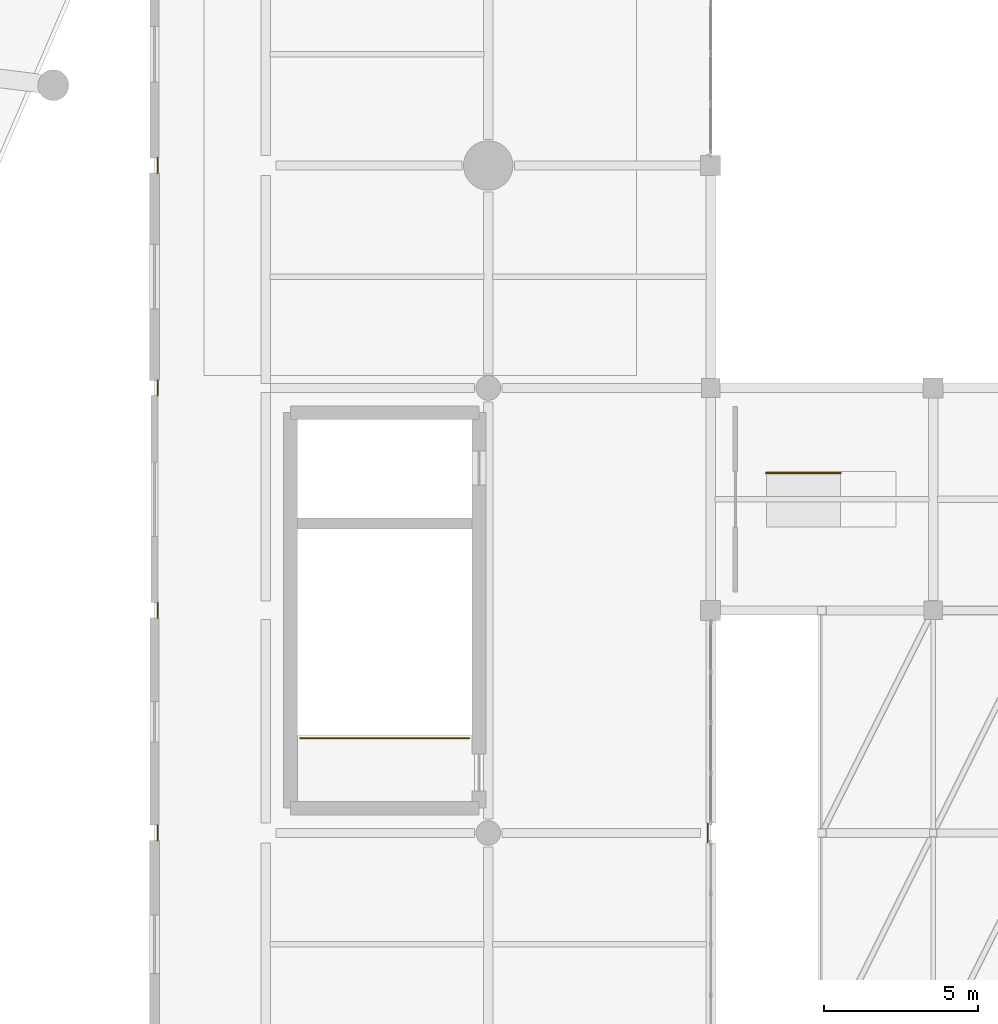
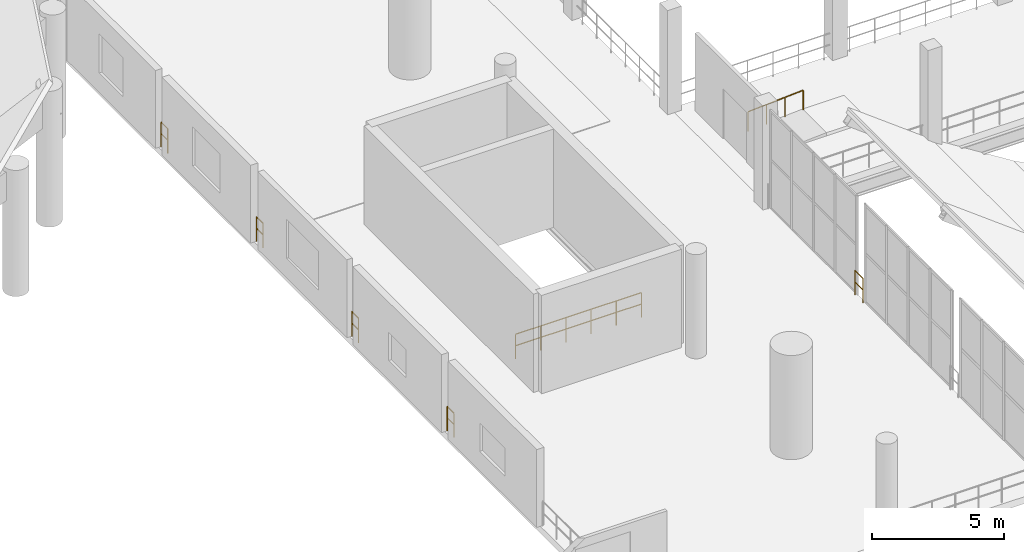
# One storey, part 96 of 105: 7 railings.
"""IFC4 building model written with IfcOpenShell, lengths in metres."""

from ifc_helpers import new_model, si_unit, direction, frame, origin, origin_2d, place, context, subcontext, project, spatial, circle, extrude, material, type_object, element, save


model = new_model("IFC4")

# Units and contexts
model_context = context("Model", 3, precision=1e-05, world=origin(), true_north=direction((0.0, 1.0)))
body_context = subcontext(model_context, "Body", "Model", "MODEL_VIEW")
ifc_project = project(units=[si_unit("LENGTHUNIT", "METRE"), si_unit("AREAUNIT", "SQUARE_METRE"), si_unit("VOLUMEUNIT", "CUBIC_METRE"), si_unit("PLANEANGLEUNIT", "RADIAN"), si_unit("MASSUNIT", "GRAM", prefix="KILO")], contexts=[model_context])

# Site, building, storey
site_placement = place(None, origin())
site = spatial("IfcSite", under=ifc_project, at=site_placement, CompositionType="ELEMENT")
building_placement = place(site_placement, origin())
building = spatial("IfcBuilding", under=site, at=building_placement, Name="Qandorah Velis Arena", CompositionType="ELEMENT")
storey_placement = place(building_placement, frame((0.0, 0.0, 13.800048828125)))
storey = spatial("IfcBuildingStorey", under=building, at=storey_placement, Name="L03", CompositionType="ELEMENT", Elevation=13.800048828125)

# Railings
ifc_material = material(Name="Stainless steel 316", Category="steel")
railing_type_1 = type_object("IfcRailingType", Name="ARC-RL-GRD1150", PredefinedType="GUARDRAIL", material=ifc_material)
railing_1_placement = place(storey_placement, frame((109.110107421875, 39.070068359375, 0.0)))
element("IfcRailing", 1, at=railing_1_placement, inside=storey, type_object=railing_type_1, Name="Stair ST11 top well guardrail L03", PredefinedType="GUARDRAIL", context=body_context, shape_type="SweptSolid", body=[
    extrude(circle(Radius=0.02392578125, at=origin_2d()), frame((0.0, 0.0, 1.1259765625), z_axis=(1.0, 0.0, 0.0), x_axis=(0.0, 1.0, 0.0)), (0.0, 0.0, 1.0), 5.47998046875),
    extrude(circle(Radius=0.02392578125, at=origin_2d()), frame((0.0, 0.0, 0.597900390625), z_axis=(1.0, 0.0, 0.0), x_axis=(0.0, 1.0, 0.0)), (0.0, 0.0, 1.0), 5.47998046875),
    extrude(circle(Radius=0.02099609375, at=origin_2d()), origin(), (0.0, 0.0, 1.0), 1.101806640625),
    extrude(circle(Radius=0.02099609375, at=origin_2d()), frame((1.095947265625, 0.0, 0.0)), (0.0, 0.0, 1.0), 1.101806640625),
    extrude(circle(Radius=0.02099609375, at=origin_2d()), frame((2.19189453125, 0.0, 0.0)), (0.0, 0.0, 1.0), 1.101806640625),
    extrude(circle(Radius=0.02099609375, at=origin_2d()), frame((3.2880859375, 0.0, 0.0)), (0.0, 0.0, 1.0), 1.101806640625),
    extrude(circle(Radius=0.02099609375, at=origin_2d()), frame((4.384033203125, 0.0, 0.0)), (0.0, 0.0, 1.0), 1.101806640625),
    extrude(circle(Radius=0.02099609375, at=origin_2d()), frame((5.47998046875, 0.0, 0.0)), (0.0, 0.0, 1.0), 1.101806640625),
])
railing_2_placement = place(storey_placement, frame((122.300048828125, 36.300048828125, 0.0)))
element("IfcRailing", 2, at=railing_2_placement, inside=storey, type_object=railing_type_1, Name="Slab edge safety guardrail L03-203", PredefinedType="GUARDRAIL", context=body_context, shape_type="SweptSolid", body=[
    extrude(circle(Radius=0.02392578125, at=origin_2d()), frame((0.0, 0.0, 1.1259765625), z_axis=(0.0, -1.0, 0.0), x_axis=(1.0, 0.0, 0.0)), (0.0, 0.0, 1.0), 0.60009765625),
    extrude(circle(Radius=0.02392578125, at=origin_2d()), frame((0.0, 0.0, 0.597900390625), z_axis=(0.0, -1.0, 0.0), x_axis=(1.0, 0.0, 0.0)), (0.0, 0.0, 1.0), 0.60009765625),
    extrude(circle(Radius=0.02099609375, at=origin_2d()), origin(), (0.0, 0.0, 1.0), 1.101806640625),
    extrude(circle(Radius=0.02099609375, at=origin_2d()), frame((0.0, -0.60009765625, 0.0)), (0.0, 0.0, 1.0), 1.101806640625),
])
for number, where, name in (
    (3, (104.5, 35.75, 0.0), "Slab edge safety guardrail L03-213"),
    (4, (104.5, 42.949951171875, 0.0), "Slab edge safety guardrail L03-214"),
    (5, (104.5, 50.14990234375, 0.0), "Slab edge safety guardrail L03-215"),
    (6, (104.5, 57.35009765625, 0.0), "Slab edge safety guardrail L03-216"),
):
    element("IfcRailing", number, at=place(storey_placement, frame(where)), inside=storey, type_object=railing_type_1, Name=name, PredefinedType="GUARDRAIL", context=body_context, shape_type="SweptSolid", body=[
        extrude(circle(Radius=0.02392578125, at=origin_2d()), frame((0.0, 0.0, 1.1259765625), z_axis=(0.0, 1.0, 0.0), x_axis=(-1.0, 0.0, 0.0)), (0.0, 0.0, 1.0), 0.5),
        extrude(circle(Radius=0.02392578125, at=origin_2d()), frame((0.0, 0.0, 0.597900390625), z_axis=(0.0, 1.0, 0.0), x_axis=(-1.0, 0.0, 0.0)), (0.0, 0.0, 1.0), 0.5),
        extrude(circle(Radius=0.02099609375, at=origin_2d()), origin(), (0.0, 0.0, 1.0), 1.101806640625),
        extrude(circle(Radius=0.02099609375, at=origin_2d()), frame((0.0, 0.5, 0.0)), (0.0, 0.0, 1.0), 1.101806640625),
    ])
railing_type_2 = type_object("IfcRailingType", Name="ARC-RL-HND920", PredefinedType="HANDRAIL", material=ifc_material)
railing_3_placement = place(storey_placement, frame((124.199951171875, 47.64990234375, 0.0)))
element("IfcRailing", 7, at=railing_3_placement, inside=storey, type_object=railing_type_2, Name="Ramp PR5 handrail", PredefinedType="HANDRAIL", context=body_context, shape_type="SweptSolid", body=[
    extrude(circle(Radius=0.02392578125, at=origin_2d()), frame((0.0, 0.0, 0.89599609375), z_axis=(0.998055342672, 0.0, 0.062334043373), x_axis=(0.0, 1.0, 0.0)), (0.0, 0.0, 1.0), 2.40478515625),
    extrude(circle(Radius=0.02099609375, at=origin_2d()), origin(), (0.0, 0.0, 1.0), 0.871826171875),
    extrude(circle(Radius=0.02099609375, at=origin_2d()), frame((0.800048828125, 0.0, 0.050048828125)), (0.0, 0.0, 1.0), 0.871826171875),
    extrude(circle(Radius=0.02099609375, at=origin_2d()), frame((1.60009765625, 0.0, 0.099853515625)), (0.0, 0.0, 1.0), 0.871826171875),
    extrude(circle(Radius=0.02099609375, at=origin_2d()), frame((2.400146484375, 0.0, 0.14990234375)), (0.0, 0.0, 1.0), 0.871826171875),
])

save(model, "model.ifc")
